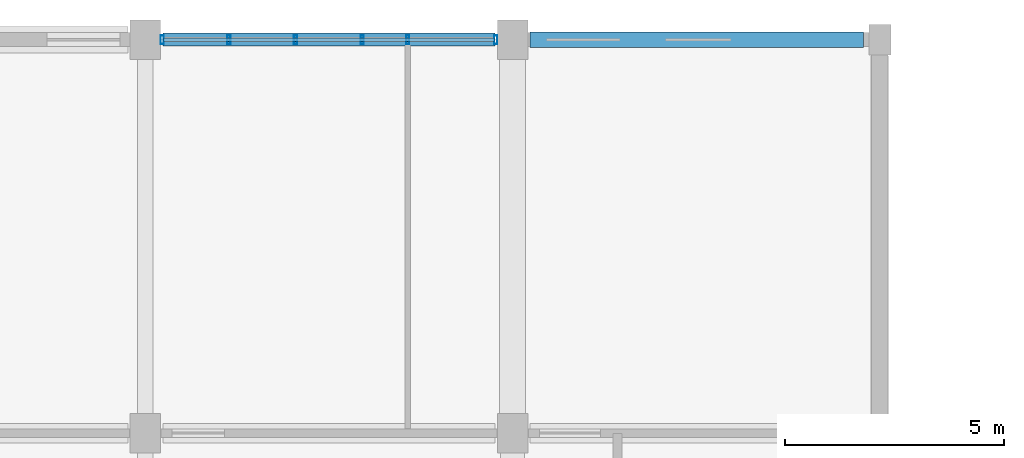
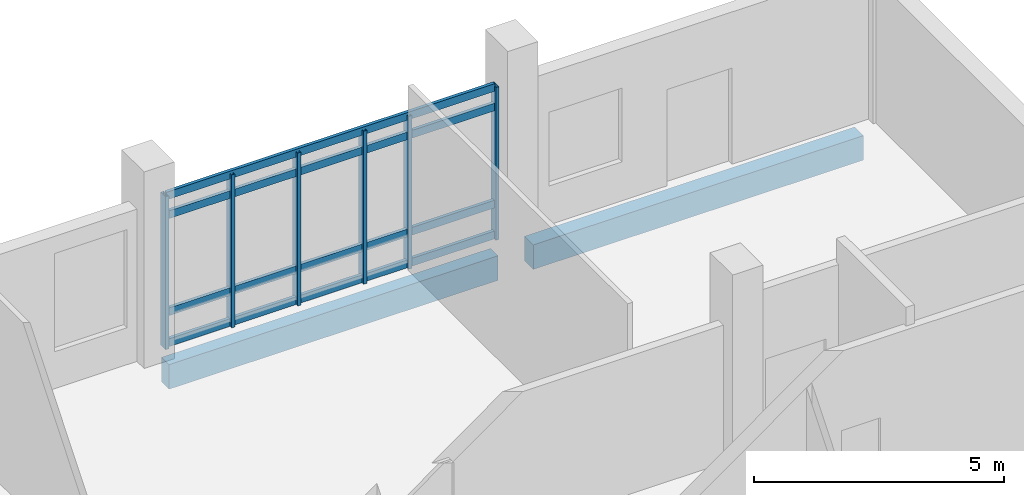
# One storey, part 58 of 95: 10 members, 2 beams, 1 element without a shape of its own.
"""IFC4 building model written with IfcOpenShell, lengths in metres."""

from ifc_helpers import new_model, si_unit, direction, frame, origin, origin_2d, place, context, subcontext, project, spatial, rectangle, hollow_rectangle, extrude, material, layer, layer_set, material_profile, profile_set, type_object, element, aggregate, save


model = new_model("IFC4")

# Units and contexts
model_context = context("Model", 3, precision=1e-05, world=origin(), true_north=direction((0.0, 1.0)))
body_context = subcontext(model_context, "Body", "Model", "MODEL_VIEW")
ifc_project = project(units=[si_unit("LENGTHUNIT", "METRE"), si_unit("AREAUNIT", "SQUARE_METRE"), si_unit("VOLUMEUNIT", "CUBIC_METRE"), si_unit("PLANEANGLEUNIT", "RADIAN"), si_unit("MASSUNIT", "GRAM", prefix="KILO")], contexts=[model_context])

# Site, building, storey
site_placement = place(None, origin())
site = spatial("IfcSite", under=ifc_project, at=site_placement, CompositionType="ELEMENT")
building_placement = place(site_placement, origin())
building = spatial("IfcBuilding", under=site, at=building_placement, Name="Vireocrest Preparatory School", CompositionType="ELEMENT")
storey_placement = place(building_placement, origin())
storey = spatial("IfcBuildingStorey", under=building, at=storey_placement, Name="L00", CompositionType="ELEMENT", Elevation=0.0)

# Curtain wall, members
ifc_material_1 = material(Name="Thermally broken aluminium EN AW-6063-T6", Category="aluminium")
ifc_layer = layer(ifc_material_1, 0.179931640625)
ifc_layer_set = layer_set([ifc_layer], Name="Thermally broken aluminium EN AW-6063-T6")
curtain_wall_type = type_object("IfcCurtainWallType", Name="North Street Curtain Wall 8400x4000", PredefinedType="USERDEFINED", material=ifc_layer_set)
curtain_wall_placement = place(storey_placement, origin())
curtain_wall = element("IfcCurtainWall", 1, at=curtain_wall_placement, inside=storey, type_object=curtain_wall_type, Name="Curtain Wall CW05 CW_L00_CW05_1011_1128_000", ObjectType="CURTAIN WALL", PredefinedType="USERDEFINED")
ifc_material_profile_1 = material_profile(ifc_material_1, hollow_rectangle(XDim=0.074951171875, YDim=0.199951171875, WallThickness=0.0048828125, at=origin_2d()), Name="ALU 75x200x5")
ifc_profile_set_1 = profile_set([ifc_material_profile_1], Name="Thermally broken aluminium EN AW-6063-T6")
member_type_1 = type_object("IfcMemberType", Name="CW Mullion 75x200x5", PredefinedType="MULLION", material=ifc_profile_set_1)
member_1_placement = place(storey_placement, frame((101.18505859375, 112.800048828125, 0.0), z_axis=(0.0, 0.0, 1.0), x_axis=(1.0, 0.0, 0.0)))
member_1 = element("IfcMember", 2, at=member_1_placement, type_object=member_type_1, Name="CW Mullion ML3 CW_L00_CW05_1011_1128_000-1", PredefinedType="MULLION", context=body_context, shape_type="SweptSolid", body=[
    extrude(hollow_rectangle(XDim=0.074951171875, YDim=0.199951171875, WallThickness=0.0048828125, at=origin_2d()), origin(), (0.0, 0.0, 1.0), 3.735107421875),
])
member_2_placement = place(storey_placement, frame((102.7109375, 112.800048828125, 0.0), z_axis=(0.0, 0.0, 1.0), x_axis=(1.0, 0.0, 0.0)))
member_2 = element("IfcMember", 3, at=member_2_placement, type_object=member_type_1, Name="CW Mullion ML3 CW_L00_CW05_1011_1128_000-2", PredefinedType="MULLION", context=body_context, shape_type="SweptSolid", body=[
    extrude(hollow_rectangle(XDim=0.074951171875, YDim=0.199951171875, WallThickness=0.0048828125, at=origin_2d()), origin(), (0.0, 0.0, 1.0), 3.735107421875),
])
member_3_placement = place(storey_placement, frame((104.237060546875, 112.800048828125, 0.0), z_axis=(0.0, 0.0, 1.0), x_axis=(1.0, 0.0, 0.0)))
member_3 = element("IfcMember", 4, at=member_3_placement, type_object=member_type_1, Name="CW Mullion ML3 CW_L00_CW05_1011_1128_000-3", PredefinedType="MULLION", context=body_context, shape_type="SweptSolid", body=[
    extrude(hollow_rectangle(XDim=0.074951171875, YDim=0.199951171875, WallThickness=0.0048828125, at=origin_2d()), origin(), (0.0, 0.0, 1.0), 3.735107421875),
])
member_4_placement = place(storey_placement, frame((105.762939453125, 112.800048828125, 0.0), z_axis=(0.0, 0.0, 1.0), x_axis=(1.0, 0.0, 0.0)))
member_4 = element("IfcMember", 5, at=member_4_placement, type_object=member_type_1, Name="CW Mullion ML3 CW_L00_CW05_1011_1128_000-4", PredefinedType="MULLION", context=body_context, shape_type="SweptSolid", body=[
    extrude(hollow_rectangle(XDim=0.074951171875, YDim=0.199951171875, WallThickness=0.0048828125, at=origin_2d()), origin(), (0.0, 0.0, 1.0), 3.735107421875),
])
member_5_placement = place(storey_placement, frame((106.800048828125, 112.800048828125, 0.0), z_axis=(0.0, 0.0, 1.0), x_axis=(1.0, 0.0, 0.0)))
member_5 = element("IfcMember", 6, at=member_5_placement, type_object=member_type_1, Name="CW Mullion ML3 CW_L00_CW05_1011_1128_000-5", PredefinedType="MULLION", context=body_context, shape_type="SweptSolid", body=[
    extrude(hollow_rectangle(XDim=0.074951171875, YDim=0.199951171875, WallThickness=0.0048828125, at=origin_2d()), origin(), (0.0, 0.0, 1.0), 3.735107421875),
])
member_6_placement = place(storey_placement, frame((108.81494140625, 112.800048828125, 0.0), z_axis=(0.0, 0.0, 1.0), x_axis=(1.0, 0.0, 0.0)))
member_6 = element("IfcMember", 7, at=member_6_placement, type_object=member_type_1, Name="CW Mullion ML3 CW_L00_CW05_1011_1128_000-6", PredefinedType="MULLION", context=body_context, shape_type="SweptSolid", body=[
    extrude(hollow_rectangle(XDim=0.074951171875, YDim=0.199951171875, WallThickness=0.0048828125, at=origin_2d()), origin(), (0.0, 0.0, 1.0), 3.735107421875),
])
ifc_material_profile_2 = material_profile(ifc_material_1, hollow_rectangle(XDim=0.074951171875, YDim=0.18994140625, WallThickness=0.00390625, at=origin_2d()), Name="ALU 75x190x4")
ifc_profile_set_2 = profile_set([ifc_material_profile_2], Name="Thermally broken aluminium EN AW-6063-T6")
member_type_2 = type_object("IfcMemberType", Name="CW Transom 75x190x4", PredefinedType="USERDEFINED", material=ifc_profile_set_2)
member_7_placement = place(storey_placement, frame((101.2099609375, 112.800048828125, 0.094970703125), z_axis=(1.0, 0.0, 0.0), x_axis=(0.0, 1.0, 0.0)))
member_7 = element("IfcMember", 8, at=member_7_placement, type_object=member_type_2, Name="CW Transom TR3 CW_L00_CW05_1011_1128_000-1", ObjectType="TRANSOM", PredefinedType="USERDEFINED", context=body_context, shape_type="SweptSolid", body=[
    extrude(hollow_rectangle(XDim=0.074951171875, YDim=0.18994140625, WallThickness=0.00390625, at=origin_2d()), origin(), (0.0, 0.0, 1.0), 7.580078125),
])
member_8_placement = place(storey_placement, frame((101.2099609375, 112.800048828125, 0.85009765625), z_axis=(1.0, 0.0, 0.0), x_axis=(0.0, 1.0, 0.0)))
member_8 = element("IfcMember", 9, at=member_8_placement, type_object=member_type_2, Name="CW Transom TR3 CW_L00_CW05_1011_1128_000-2", ObjectType="TRANSOM", PredefinedType="USERDEFINED", context=body_context, shape_type="SweptSolid", body=[
    extrude(hollow_rectangle(XDim=0.074951171875, YDim=0.18994140625, WallThickness=0.00390625, at=origin_2d()), origin(), (0.0, 0.0, 1.0), 7.580078125),
])
member_9_placement = place(storey_placement, frame((101.2099609375, 112.800048828125, 3.219970703125), z_axis=(1.0, 0.0, 0.0), x_axis=(0.0, 1.0, 0.0)))
member_9 = element("IfcMember", 10, at=member_9_placement, type_object=member_type_2, Name="CW Transom TR3 CW_L00_CW05_1011_1128_000-3", ObjectType="TRANSOM", PredefinedType="USERDEFINED", context=body_context, shape_type="SweptSolid", body=[
    extrude(hollow_rectangle(XDim=0.074951171875, YDim=0.18994140625, WallThickness=0.00390625, at=origin_2d()), origin(), (0.0, 0.0, 1.0), 7.580078125),
])
member_10_placement = place(storey_placement, frame((101.2099609375, 112.800048828125, 3.695068359375), z_axis=(1.0, 0.0, 0.0), x_axis=(0.0, 1.0, 0.0)))
member_10 = element("IfcMember", 11, at=member_10_placement, type_object=member_type_2, Name="CW Transom TR3 CW_L00_CW05_1011_1128_000-4", ObjectType="TRANSOM", PredefinedType="USERDEFINED", context=body_context, shape_type="SweptSolid", body=[
    extrude(hollow_rectangle(XDim=0.074951171875, YDim=0.18994140625, WallThickness=0.00390625, at=origin_2d()), origin(), (0.0, 0.0, 1.0), 7.580078125),
])
aggregate(curtain_wall, [member_1, member_2, member_3, member_4, member_5, member_6, member_7, member_8, member_9, member_10])

# Beams
ifc_material_2 = material(Name="Concrete 40 MPa", Category="concrete")
ifc_material_profile_3 = material_profile(ifc_material_2, rectangle(XDim=0.300048828125, YDim=0.60009765625, at=origin_2d()), Name="RC 300x600")
ifc_profile_set_3 = profile_set([ifc_material_profile_3], Name="Concrete 40 MPa")
beam_type_1 = type_object("IfcBeamType", Name="RC Classroom Beam 300x600", PredefinedType="BEAM", material=ifc_profile_set_3)
beam_1_placement = place(storey_placement, frame((101.199951171875, 112.800048828125, -0.64990234375), z_axis=(1.0, 0.0, 0.0), x_axis=(0.0, 1.0, 0.0)))
element("IfcBeam", 12, at=beam_1_placement, inside=storey, type_object=beam_type_1, Name="Primary Girder B03 L00-0127", PredefinedType="BEAM", context=body_context, shape_type="SweptSolid", body=[
    extrude(rectangle(XDim=0.300048828125, YDim=0.60009765625, at=origin_2d()), origin(), (0.0, 0.0, 1.0), 7.60009765625),
])
ifc_material_profile_4 = material_profile(ifc_material_2, rectangle(XDim=0.35009765625, YDim=0.60009765625, at=origin_2d()), Name="RC 350x600")
ifc_profile_set_4 = profile_set([ifc_material_profile_4], Name="Concrete 40 MPa")
beam_type_2 = type_object("IfcBeamType", Name="RC Classroom Girder 350x600", PredefinedType="BEAM", material=ifc_profile_set_4)
beam_2_placement = place(storey_placement, frame((109.60009765625, 112.800048828125, -0.64990234375), z_axis=(1.0, 0.0, 0.0), x_axis=(0.0, 1.0, 0.0)))
element("IfcBeam", 13, at=beam_2_placement, inside=storey, type_object=beam_type_2, Name="Primary Girder B04 L00-0128", PredefinedType="BEAM", context=body_context, shape_type="SweptSolid", body=[
    extrude(rectangle(XDim=0.35009765625, YDim=0.60009765625, at=origin_2d()), origin(), (0.0, 0.0, 1.0), 7.625),
])

save(model, "model.ifc")
